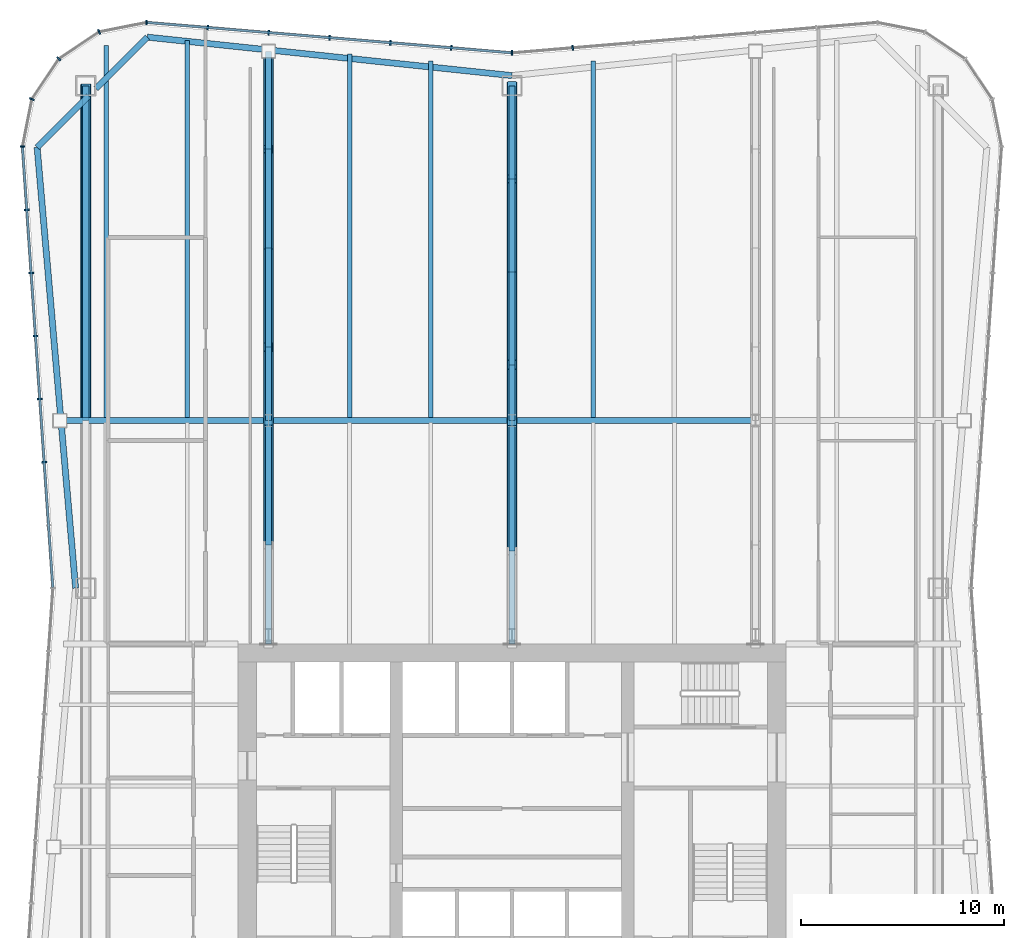
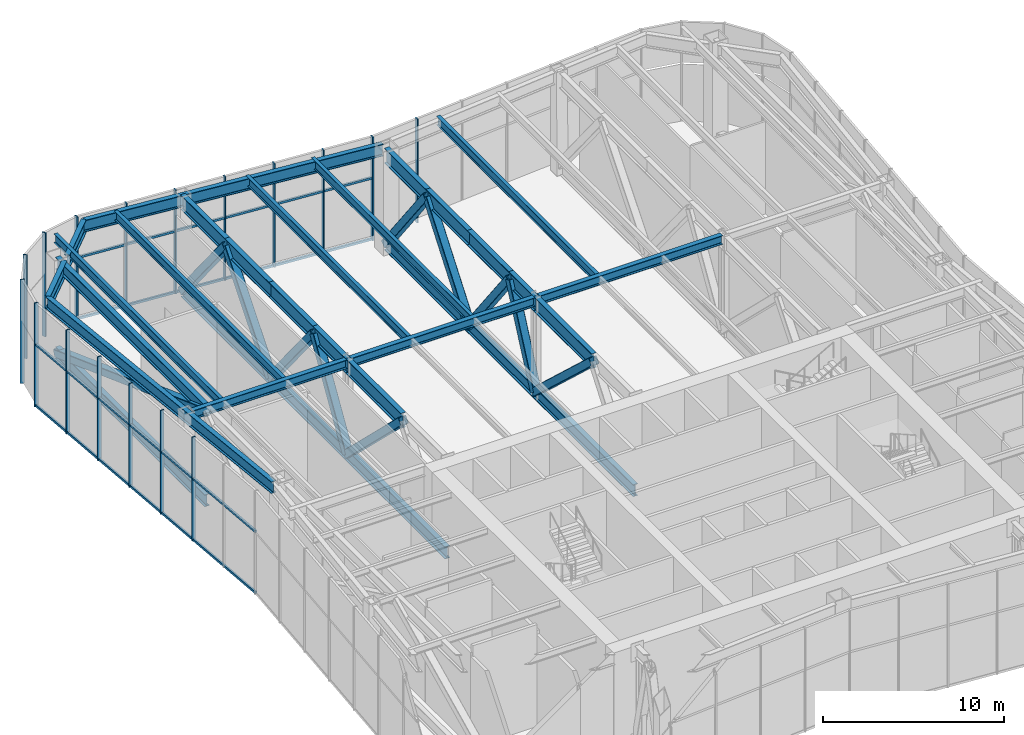
# One storey, part 5 of 14: 46 members, 12 beams, 3 elements without a shape of their own.
"""IFC4 building model written with IfcOpenShell, lengths in metres."""

from ifc_helpers import new_model, si_unit, direction, frame, origin, origin_2d, place, context, subcontext, project, spatial, rectangle, hollow_rectangle, i_section, extrude, material, material_profile, profile_set, type_object, element, aggregate, save


model = new_model("IFC4")

# Units and contexts
model_context = context("Model", 3, precision=1e-05, world=origin(), true_north=direction((0.0, 1.0)))
body_context = subcontext(model_context, "Body", "Model", "MODEL_VIEW")
ifc_project = project(units=[si_unit("LENGTHUNIT", "METRE"), si_unit("AREAUNIT", "SQUARE_METRE"), si_unit("VOLUMEUNIT", "CUBIC_METRE"), si_unit("PLANEANGLEUNIT", "RADIAN"), si_unit("MASSUNIT", "GRAM", prefix="KILO")], contexts=[model_context])

# Site, building, storey
site_placement = place(None, origin())
site = spatial("IfcSite", under=ifc_project, at=site_placement, CompositionType="ELEMENT")
building_placement = place(site_placement, origin())
building = spatial("IfcBuilding", under=site, at=building_placement, Name="Verdant Reach Tower", CompositionType="ELEMENT")
storey_placement = place(building_placement, frame((0.0, 0.0, 226.0)))
storey = spatial("IfcBuildingStorey", under=building, at=storey_placement, Name="L52 Plant", CompositionType="ELEMENT", Elevation=226.0)

# Curtain wall, members
ifc_material_1 = material(Name="Anodised aluminium", Category="aluminium")
curtain_wall_type = type_object("IfcCurtainWallType", Name="EN-CW SYSTEM PLANT", PredefinedType="NOTDEFINED", material=ifc_material_1)
curtain_wall_1_placement = place(storey_placement, origin())
curtain_wall_1 = element("IfcCurtainWall", 1, at=curtain_wall_1_placement, inside=storey, type_object=curtain_wall_type, Name="Curtain wall north, L52", PredefinedType="NOTDEFINED")
ifc_material_profile_1 = material_profile(ifc_material_1, rectangle(XDim=0.238037109375, YDim=0.080078125, at=origin_2d()), Name="Mullion 80x240")
ifc_profile_set_1 = profile_set([ifc_material_profile_1], Name="Anodised aluminium")
member_type_1 = type_object("IfcMemberType", Name="EN-MULLION PLANT", PredefinedType="MULLION", material=ifc_profile_set_1)
member_1_placement = place(storey_placement, frame((2.990234375, 67.86865234375, -0.35009765625), z_axis=(0.0, 0.0, 1.0), x_axis=(-0.083045479859, 0.996545758244, 0.0)))
member_1 = element("IfcMember", 2, at=member_1_placement, type_object=member_type_1, Name="Mullion north face part 1 6, L52", PredefinedType="MULLION", context=body_context, shape_type="SweptSolid", body=[
    extrude(rectangle(XDim=0.238037109375, YDim=0.080078125, at=origin_2d()), origin(), (0.0, 0.0, 1.0), 7.0),
])
member_2_placement = place(storey_placement, frame((0.0, 67.618896484375, -0.35009765625), z_axis=(0.0, 0.0, 1.0), x_axis=(0.0, 1.0, 0.0)))
member_2 = element("IfcMember", 3, at=member_2_placement, type_object=member_type_1, Name="Mullion north face part 2 1, L52", PredefinedType="MULLION", context=body_context, shape_type="SweptSolid", body=[
    extrude(rectangle(XDim=0.238037109375, YDim=0.080078125, at=origin_2d()), origin(), (0.0, 0.0, 1.0), 7.0),
])
member_3_placement = place(storey_placement, frame((-2.990234375, 67.86865234375, -0.35009765625), z_axis=(0.0, 0.0, 1.0), x_axis=(0.083045479859, 0.996545758244, 0.0)))
member_3 = element("IfcMember", 4, at=member_3_placement, type_object=member_type_1, Name="Mullion north face part 2 2, L52", PredefinedType="MULLION", context=body_context, shape_type="SweptSolid", body=[
    extrude(rectangle(XDim=0.238037109375, YDim=0.080078125, at=origin_2d()), origin(), (0.0, 0.0, 1.0), 7.0),
])
member_4_placement = place(storey_placement, frame((-5.990234375, 68.11865234375, -0.35009765625), z_axis=(0.0, 0.0, 1.0), x_axis=(0.083045479859, 0.996545758244, 0.0)))
member_4 = element("IfcMember", 5, at=member_4_placement, type_object=member_type_1, Name="Mullion north face part 2 3, L52", PredefinedType="MULLION", context=body_context, shape_type="SweptSolid", body=[
    extrude(rectangle(XDim=0.238037109375, YDim=0.080078125, at=origin_2d()), origin(), (0.0, 0.0, 1.0), 7.0),
])
member_5_placement = place(storey_placement, frame((-8.990234375, 68.36865234375, -0.35009765625), z_axis=(0.0, 0.0, 1.0), x_axis=(0.083045479859, 0.996545758244, 0.0)))
member_5 = element("IfcMember", 6, at=member_5_placement, type_object=member_type_1, Name="Mullion north face part 2 4, L52", PredefinedType="MULLION", context=body_context, shape_type="SweptSolid", body=[
    extrude(rectangle(XDim=0.238037109375, YDim=0.080078125, at=origin_2d()), origin(), (0.0, 0.0, 1.0), 7.0),
])
member_6_placement = place(storey_placement, frame((-11.990234375, 68.61865234375, -0.35009765625), z_axis=(0.0, 0.0, 1.0), x_axis=(0.083045479859, 0.996545758244, 0.0)))
member_6 = element("IfcMember", 7, at=member_6_placement, type_object=member_type_1, Name="Mullion north face part 2 5, L52", PredefinedType="MULLION", context=body_context, shape_type="SweptSolid", body=[
    extrude(rectangle(XDim=0.238037109375, YDim=0.080078125, at=origin_2d()), origin(), (0.0, 0.0, 1.0), 7.0),
])
member_7_placement = place(storey_placement, frame((-14.990234375, 68.86865234375, -0.35009765625), z_axis=(0.0, 0.0, 1.0), x_axis=(0.083045479859, 0.996545758244, 0.0)))
member_7 = element("IfcMember", 8, at=member_7_placement, type_object=member_type_1, Name="Mullion north face part 2 6, L52", PredefinedType="MULLION", context=body_context, shape_type="SweptSolid", body=[
    extrude(rectangle(XDim=0.238037109375, YDim=0.080078125, at=origin_2d()), origin(), (0.0, 0.0, 1.0), 7.0),
])

curtain_wall_2_placement = place(storey_placement, origin())
curtain_wall_2 = element("IfcCurtainWall", 9, at=curtain_wall_2_placement, inside=storey, type_object=curtain_wall_type, Name="Curtain wall north-west corner, L52", PredefinedType="NOTDEFINED")
member_8_placement = place(storey_placement, frame((-18.0068359375, 69.118896484375, -0.35009765625), z_axis=(0.0, 0.0, 1.0), x_axis=(-0.056569187765, 0.998398681387, 0.0)))
member_8 = element("IfcMember", 10, at=member_8_placement, type_object=member_type_1, Name="Mullion north-west corner 1, L52", PredefinedType="MULLION", context=body_context, shape_type="SweptSolid", body=[
    extrude(rectangle(XDim=0.238037109375, YDim=0.080078125, at=origin_2d()), origin(), (0.0, 0.0, 1.0), 7.0),
])
member_9_placement = place(storey_placement, frame((-20.341552734375, 68.6533203125, -0.35009765625), z_axis=(0.0, 0.0, 1.0), x_axis=(-0.382693853776, 0.923875215753, 0.0)))
member_9 = element("IfcMember", 11, at=member_9_placement, type_object=member_type_1, Name="Mullion north-west corner 2, L52", PredefinedType="MULLION", context=body_context, shape_type="SweptSolid", body=[
    extrude(rectangle(XDim=0.238037109375, YDim=0.080078125, at=origin_2d()), origin(), (0.0, 0.0, 1.0), 7.0),
])
member_10_placement = place(storey_placement, frame((-22.32666015625, 67.32666015625, -0.35009765625), z_axis=(0.0, 0.0, 1.0), x_axis=(-0.707106781187, 0.707106781187, 0.0)))
member_10 = element("IfcMember", 12, at=member_10_placement, type_object=member_type_1, Name="Mullion north-west corner 3, L52", PredefinedType="MULLION", context=body_context, shape_type="SweptSolid", body=[
    extrude(rectangle(XDim=0.238037109375, YDim=0.080078125, at=origin_2d()), origin(), (0.0, 0.0, 1.0), 7.0),
])
member_11_placement = place(storey_placement, frame((-23.6533203125, 65.341552734375, -0.35009765625), z_axis=(0.0, 0.0, 1.0), x_axis=(-0.923875215753, 0.382693853776, 0.0)))
member_11 = element("IfcMember", 13, at=member_11_placement, type_object=member_type_1, Name="Mullion north-west corner 4, L52", PredefinedType="MULLION", context=body_context, shape_type="SweptSolid", body=[
    extrude(rectangle(XDim=0.238037109375, YDim=0.080078125, at=origin_2d()), origin(), (0.0, 0.0, 1.0), 7.0),
])
aggregate(curtain_wall_2, [member_8, member_9, member_10, member_11])

curtain_wall_3_placement = place(storey_placement, origin())
curtain_wall_3 = element("IfcCurtainWall", 14, at=curtain_wall_3_placement, inside=storey, type_object=curtain_wall_type, Name="Curtain wall west, L52", PredefinedType="NOTDEFINED")
member_12_placement = place(storey_placement, frame((-24.11865234375, 63.007568359375, -0.35009765625), z_axis=(0.0, 0.0, 1.0), x_axis=(-0.997969180898, 0.063698618332, 0.0)))
member_12 = element("IfcMember", 15, at=member_12_placement, type_object=member_type_1, Name="Mullion west face part 1 1, L52", PredefinedType="MULLION", context=body_context, shape_type="SweptSolid", body=[
    extrude(rectangle(XDim=0.238037109375, YDim=0.080078125, at=origin_2d()), origin(), (0.0, 0.0, 1.0), 7.0),
])
member_13_placement = place(storey_placement, frame((-23.904541015625, 59.884765625, -0.35009765625), z_axis=(0.0, 0.0, 1.0), x_axis=(-0.997630328423, -0.068802091615, 0.0)))
member_13 = element("IfcMember", 16, at=member_13_placement, type_object=member_type_1, Name="Mullion west face part 1 2, L52", PredefinedType="MULLION", context=body_context, shape_type="SweptSolid", body=[
    extrude(rectangle(XDim=0.238037109375, YDim=0.080078125, at=origin_2d()), origin(), (0.0, 0.0, 1.0), 7.0),
])
member_14_placement = place(storey_placement, frame((-23.690185546875, 56.777587890625, -0.35009765625), z_axis=(0.0, 0.0, 1.0), x_axis=(-0.997630328423, -0.068802091615, 0.0)))
member_14 = element("IfcMember", 17, at=member_14_placement, type_object=member_type_1, Name="Mullion west face part 1 3, L52", PredefinedType="MULLION", context=body_context, shape_type="SweptSolid", body=[
    extrude(rectangle(XDim=0.238037109375, YDim=0.080078125, at=origin_2d()), origin(), (0.0, 0.0, 1.0), 7.0),
])
member_15_placement = place(storey_placement, frame((-23.475830078125, 53.67041015625, -0.35009765625), z_axis=(0.0, 0.0, 1.0), x_axis=(-0.997630328423, -0.068802091615, 0.0)))
member_15 = element("IfcMember", 18, at=member_15_placement, type_object=member_type_1, Name="Mullion west face part 1 4, L52", PredefinedType="MULLION", context=body_context, shape_type="SweptSolid", body=[
    extrude(rectangle(XDim=0.238037109375, YDim=0.080078125, at=origin_2d()), origin(), (0.0, 0.0, 1.0), 7.0),
])
member_16_placement = place(storey_placement, frame((-23.261474609375, 50.563232421875, -0.35009765625), z_axis=(0.0, 0.0, 1.0), x_axis=(-0.997630328423, -0.068802091615, 0.0)))
member_16 = element("IfcMember", 19, at=member_16_placement, type_object=member_type_1, Name="Mullion west face part 1 5, L52", PredefinedType="MULLION", context=body_context, shape_type="SweptSolid", body=[
    extrude(rectangle(XDim=0.238037109375, YDim=0.080078125, at=origin_2d()), origin(), (0.0, 0.0, 1.0), 7.0),
])
member_17_placement = place(storey_placement, frame((-23.04736328125, 47.4560546875, -0.35009765625), z_axis=(0.0, 0.0, 1.0), x_axis=(-0.997630328423, -0.068802091615, 0.0)))
member_17 = element("IfcMember", 20, at=member_17_placement, type_object=member_type_1, Name="Mullion west face part 1 6, L52", PredefinedType="MULLION", context=body_context, shape_type="SweptSolid", body=[
    extrude(rectangle(XDim=0.238037109375, YDim=0.080078125, at=origin_2d()), origin(), (0.0, 0.0, 1.0), 7.0),
])

# Member
ifc_material_profile_2 = material_profile(ifc_material_1, rectangle(XDim=0.1201171875, YDim=0.14990234375, at=origin_2d()), Name="Transom 150x120")
ifc_profile_set_2 = profile_set([ifc_material_profile_2], Name="Anodised aluminium")
member_type_2 = type_object("IfcMemberType", Name="EN-TRANSOM PLANT", PredefinedType="USERDEFINED", material=ifc_profile_set_2)
member_18_placement = place(storey_placement, frame((-0.039794921875, 67.622314453125, -0.27490234375), z_axis=(-0.996549220477, 0.083003922598, 0.0), x_axis=(-0.083003922598, -0.996549220477, 0.0)))
member_18 = element("IfcMember", 21, at=member_18_placement, type_object=member_type_2, Name="Transom north face part 2 1.1, L52", ObjectType="TRANSOM", PredefinedType="USERDEFINED", context=body_context, shape_type="SweptSolid", body=[
    extrude(rectangle(XDim=0.1201171875, YDim=0.14990234375, at=origin_2d()), origin(), (0.0, 0.0, 1.0), 17.989013671875),
])

member_19_placement = place(storey_placement, frame((-0.039794921875, 67.622314453125, 3.85009765625), z_axis=(-0.996549220477, 0.083003922598, 0.0), x_axis=(-0.083003922598, -0.996549220477, 0.0)))
member_19 = element("IfcMember", 22, at=member_19_placement, type_object=member_type_2, Name="Transom north face part 2 1.2, L52", ObjectType="TRANSOM", PredefinedType="USERDEFINED", context=body_context, shape_type="SweptSolid", body=[
    extrude(rectangle(XDim=0.1201171875, YDim=0.14990234375, at=origin_2d()), origin(), (0.0, 0.0, 1.0), 17.989013671875),
])

aggregate(curtain_wall_1, [member_1, member_2, member_3, member_4, member_5, member_6, member_7, member_18, member_19])

member_20_placement = place(storey_placement, frame((-24.115966796875, 62.9677734375, -0.27490234375), z_axis=(0.068761218296, -0.997633146431, 0.0), x_axis=(0.997633146431, 0.068761218296, 0.0)))
member_20 = element("IfcMember", 23, at=member_20_placement, type_object=member_type_2, Name="Transom west face part 1 1.1, L52", ObjectType="TRANSOM", PredefinedType="USERDEFINED", context=body_context, shape_type="SweptSolid", body=[
    extrude(rectangle(XDim=0.1201171875, YDim=0.14990234375, at=origin_2d()), origin(), (0.0, 0.0, 1.0), 21.7294921875),
])

member_21_placement = place(storey_placement, frame((-24.115966796875, 62.9677734375, 3.85009765625), z_axis=(0.068761218296, -0.997633146431, 0.0), x_axis=(0.997633146431, 0.068761218296, 0.0)))
member_21 = element("IfcMember", 24, at=member_21_placement, type_object=member_type_2, Name="Transom west face part 1 1.2, L52", ObjectType="TRANSOM", PredefinedType="USERDEFINED", context=body_context, shape_type="SweptSolid", body=[
    extrude(rectangle(XDim=0.1201171875, YDim=0.14990234375, at=origin_2d()), origin(), (0.0, 0.0, 1.0), 21.7294921875),
])

aggregate(curtain_wall_3, [member_12, member_13, member_14, member_15, member_16, member_17, member_20, member_21])

# Beams
ifc_material_2 = material(Name="Steel S355", Category="steel")
ifc_material_profile_3 = material_profile(ifc_material_2, i_section(OverallWidth=0.300048828125, OverallDepth=0.60009765625, WebThickness=0.015380859375, FlangeThickness=0.030029296875, FilletRadius=0.027099609375, at=origin_2d()), Name="HEB 600")
ifc_profile_set_3 = profile_set([ifc_material_profile_3], Name="Steel S355")
beam_type_1 = type_object("IfcBeamType", Name="ST-BEAM-HEB600", PredefinedType="BEAM", material=ifc_profile_set_3)
beam_1_placement = place(storey_placement, frame((-21.965087890625, 49.5, 6.570068359375), z_axis=(1.0, 0.0, 0.0), x_axis=(0.0, 1.0, 0.0)))
element("IfcBeam", 25, at=beam_1_placement, inside=storey, type_object=beam_type_1, Name="Row girder, L52 Plant", PredefinedType="BEAM", context=body_context, shape_type="SweptSolid", body=[
    extrude(i_section(OverallWidth=0.300048828125, OverallDepth=0.60009765625, WebThickness=0.015380859375, FlangeThickness=0.030029296875, FilletRadius=0.027099609375, at=origin_2d()), origin(), (0.0, 0.0, 1.0), 9.8125),
])
for number, where, z_axis, x_axis, name in (
    (26, (-11.847412109375, 49.5, 6.570068359375), (1.0, 0.0, 0.0), (0.0, 1.0, 0.0), "Row girder, L52 Plant"),
    (27, (0.152587890625, 49.5, 6.570068359375), (1.0, 0.0, 0.0), (0.0, 1.0, 0.0), "Row girder, L52 Plant"),
):
    element("IfcBeam", number, at=place(storey_placement, frame(where, z_axis=z_axis, x_axis=x_axis)), inside=storey, type_object=beam_type_1, Name=name, PredefinedType="BEAM", context=body_context, shape_type="SweptSolid", body=[
        extrude(i_section(OverallWidth=0.300048828125, OverallDepth=0.60009765625, WebThickness=0.015380859375, FlangeThickness=0.030029296875, FilletRadius=0.027099609375, at=origin_2d()), origin(), (0.0, 0.0, 1.0), 11.69482421875),
    ])
ifc_material_profile_4 = material_profile(ifc_material_2, i_section(OverallWidth=0.219970703125, OverallDepth=0.60009765625, WebThickness=0.011962890625, FlangeThickness=0.01904296875, FilletRadius=0.02392578125, at=origin_2d()), Name="IPE 600")
ifc_profile_set_4 = profile_set([ifc_material_profile_4], Name="Steel S355")
beam_type_2 = type_object("IfcBeamType", Name="ST-JOIST-IPE600", PredefinedType="JOIST", material=ifc_profile_set_4)
beam_2_placement = place(storey_placement, frame((-20.0, 49.60009765625, 6.570068359375), z_axis=(0.0, 1.0, 0.0), x_axis=(-1.0, 0.0, 0.0)))
element("IfcBeam", 28, at=beam_2_placement, inside=storey, type_object=beam_type_2, Name="Floor joist, L52 Plant", PredefinedType="JOIST", context=body_context, shape_type="SweptSolid", body=[
    extrude(i_section(OverallWidth=0.219970703125, OverallDepth=0.60009765625, WebThickness=0.011962890625, FlangeThickness=0.01904296875, FilletRadius=0.02392578125, at=origin_2d()), origin(), (0.0, 0.0, 1.0), 18.390380859375),
])
beam_3_placement = place(storey_placement, frame((-16.0, 49.60009765625, 6.570068359375), z_axis=(0.0, 1.0, 0.0), x_axis=(-1.0, 0.0, 0.0)))
element("IfcBeam", 29, at=beam_3_placement, inside=storey, type_object=beam_type_2, Name="Floor joist, L52 Plant", PredefinedType="JOIST", context=body_context, shape_type="SweptSolid", body=[
    extrude(i_section(OverallWidth=0.219970703125, OverallDepth=0.60009765625, WebThickness=0.011962890625, FlangeThickness=0.01904296875, FilletRadius=0.02392578125, at=origin_2d()), origin(), (0.0, 0.0, 1.0), 18.631103515625),
])
beam_4_placement = place(storey_placement, frame((-8.0, 49.60009765625, 6.570068359375), z_axis=(0.0, 1.0, 0.0), x_axis=(-1.0, 0.0, 0.0)))
element("IfcBeam", 30, at=beam_4_placement, inside=storey, type_object=beam_type_2, Name="Floor joist, L52 Plant", PredefinedType="JOIST", context=body_context, shape_type="SweptSolid", body=[
    extrude(i_section(OverallWidth=0.219970703125, OverallDepth=0.60009765625, WebThickness=0.011962890625, FlangeThickness=0.01904296875, FilletRadius=0.02392578125, at=origin_2d()), origin(), (0.0, 0.0, 1.0), 17.964599609375),
])
for number, where, z_axis, x_axis, name in (
    (31, (-4.0, 49.60009765625, 6.570068359375), (0.0, 1.0, 0.0), (-1.0, 0.0, 0.0), "Floor joist, L52 Plant"),
    (32, (4.0, 49.60009765625, 6.570068359375), (0.0, 1.0, 0.0), (-1.0, 0.0, 0.0), "Floor joist, L52 Plant"),
):
    element("IfcBeam", number, at=place(storey_placement, frame(where, z_axis=z_axis, x_axis=x_axis)), inside=storey, type_object=beam_type_2, Name=name, PredefinedType="JOIST", context=body_context, shape_type="SweptSolid", body=[
        extrude(i_section(OverallWidth=0.219970703125, OverallDepth=0.60009765625, WebThickness=0.011962890625, FlangeThickness=0.01904296875, FilletRadius=0.02392578125, at=origin_2d()), origin(), (0.0, 0.0, 1.0), 17.631103515625),
    ])
ifc_material_profile_5 = material_profile(ifc_material_2, i_section(OverallWidth=0.300048828125, OverallDepth=0.800048828125, WebThickness=0.017578125, FlangeThickness=0.032958984375, FilletRadius=0.030029296875, at=origin_2d()), Name="HEB 800")
ifc_profile_set_5 = profile_set([ifc_material_profile_5], Name="Steel S355")
beam_type_3 = type_object("IfcBeamType", Name="ST-SPANDREL-HEB800", PredefinedType="SPANDREL", material=ifc_profile_set_5)
beam_5_placement = place(storey_placement, frame((-21.5, 41.25, 6.469970703125), z_axis=(-0.086996024331, 0.996208658741, 0.0), x_axis=(-0.996208658741, -0.086996024331, 0.0)))
element("IfcBeam", 33, at=beam_5_placement, inside=storey, type_object=beam_type_3, Name="Edge beam, L52 Plant", PredefinedType="SPANDREL", context=body_context, shape_type="SweptSolid", body=[
    extrude(i_section(OverallWidth=0.300048828125, OverallDepth=0.800048828125, WebThickness=0.017578125, FlangeThickness=0.032958984375, FilletRadius=0.030029296875, at=origin_2d()), origin(), (0.0, 0.0, 1.0), 21.7939453125),
])
beam_6_placement = place(storey_placement, frame((-17.9658203125, 68.39501953125, 6.469970703125), z_axis=(0.994483067002, -0.104897232783, 0.0), x_axis=(0.104897232783, 0.994483067002, 0.0)))
element("IfcBeam", 34, at=beam_6_placement, inside=storey, type_object=beam_type_3, Name="Edge beam, L52 Plant", PredefinedType="SPANDREL", context=body_context, shape_type="SweptSolid", body=[
    extrude(i_section(OverallWidth=0.300048828125, OverallDepth=0.800048828125, WebThickness=0.017578125, FlangeThickness=0.032958984375, FilletRadius=0.030029296875, at=origin_2d()), origin(), (0.0, 0.0, 1.0), 18.0654296875),
])
ifc_material_profile_6 = material_profile(ifc_material_2, i_section(OverallWidth=0.302001953125, OverallDepth=0.909912109375, WebThickness=0.02099609375, FlangeThickness=0.0400390625, FilletRadius=0.030029296875, at=origin_2d()), Name="HEM 900")
ifc_profile_set_6 = profile_set([ifc_material_profile_6], Name="Steel S355")
beam_type_4 = type_object("IfcBeamType", Name="ST-SPANDREL-HEM900", PredefinedType="SPANDREL", material=ifc_profile_set_6)
beam_7_placement = place(storey_placement, frame((-23.39599609375, 62.96142578125, 6.4150390625), z_axis=(0.706902680526, 0.707310822952, 0.0), x_axis=(-0.707310822952, 0.706902680526, 0.0)))
element("IfcBeam", 35, at=beam_7_placement, inside=storey, type_object=beam_type_4, Name="Edge beam, L52 Plant", PredefinedType="SPANDREL", context=body_context, shape_type="SweptSolid", body=[
    extrude(i_section(OverallWidth=0.302001953125, OverallDepth=0.909912109375, WebThickness=0.02099609375, FlangeThickness=0.0400390625, FilletRadius=0.030029296875, at=origin_2d()), origin(), (0.0, 0.0, 1.0), 3.589111328125),
])
beam_8_placement = place(storey_placement, frame((-20.5, 65.859130859375, 6.4150390625), z_axis=(0.706868394255, 0.707345087777, 0.0), x_axis=(-0.707345087777, 0.706868394255, 0.0)))
element("IfcBeam", 36, at=beam_8_placement, inside=storey, type_object=beam_type_4, Name="Edge beam, L52 Plant", PredefinedType="SPANDREL", context=body_context, shape_type="SweptSolid", body=[
    extrude(i_section(OverallWidth=0.302001953125, OverallDepth=0.909912109375, WebThickness=0.02099609375, FlangeThickness=0.0400390625, FilletRadius=0.030029296875, at=origin_2d()), origin(), (0.0, 0.0, 1.0), 3.5849609375),
])

# Members
ifc_material_3 = material(Name="Steel S460", Category="steel")
ifc_material_profile_7 = material_profile(ifc_material_3, hollow_rectangle(XDim=0.5, YDim=0.5, WallThickness=0.02490234375, InnerFilletRadius=0.02490234375, OuterFilletRadius=0.050048828125, at=origin_2d()), Name="RHS 500x500x25")
ifc_profile_set_7 = profile_set([ifc_material_profile_7], Name="Steel S460")
member_type_3 = type_object("IfcMemberType", Name="ST-TRUSS-BRACE-RHS500x500x25", PredefinedType="BRACE", material=ifc_profile_set_7)
member_22_placement = place(storey_placement, frame((-12.0, 43.374755859375, 6.365966796875), z_axis=(0.0, 0.716767609279, -0.69731212114), x_axis=(-1.0, 0.0, 0.0)))
element("IfcMember", 37, at=member_22_placement, inside=storey, type_object=member_type_3, Name="Belt truss C north, diagonal, L52 Plant", PredefinedType="BRACE", context=body_context, shape_type="SweptSolid", body=[
    extrude(hollow_rectangle(XDim=0.5, YDim=0.5, WallThickness=0.02490234375, InnerFilletRadius=0.02490234375, OuterFilletRadius=0.050048828125, at=origin_2d()), origin(), (0.0, 0.0, 1.0), 8.545654296875),
])
member_23_placement = place(storey_placement, frame((-12.0, 49.5, 0.406982421875), z_axis=(0.0, 0.519664861187, 0.854370196137), x_axis=(-1.0, 0.0, 0.0)))
element("IfcMember", 38, at=member_23_placement, inside=storey, type_object=member_type_3, Name="Belt truss C north, diagonal, L52 Plant", PredefinedType="BRACE", context=body_context, shape_type="SweptSolid", body=[
    extrude(hollow_rectangle(XDim=0.5, YDim=0.5, WallThickness=0.02490234375, InnerFilletRadius=0.02490234375, OuterFilletRadius=0.050048828125, at=origin_2d()), origin(), (0.0, 0.0, 1.0), 6.974609375),
])
member_24_placement = place(storey_placement, frame((-12.0, 53.12451171875, 6.365966796875), z_axis=(0.0, 0.630640504827, -0.776075095382), x_axis=(-1.0, 0.0, 0.0)))
element("IfcMember", 39, at=member_24_placement, inside=storey, type_object=member_type_3, Name="Belt truss C north, diagonal, L52 Plant", PredefinedType="BRACE", context=body_context, shape_type="SweptSolid", body=[
    extrude(hollow_rectangle(XDim=0.5, YDim=0.5, WallThickness=0.02490234375, InnerFilletRadius=0.02490234375, OuterFilletRadius=0.050048828125, at=origin_2d()), origin(), (0.0, 0.0, 1.0), 7.678466796875),
])
member_25_placement = place(storey_placement, frame((-12.0, 57.966796875, 0.406982421875), z_axis=(0.0, 0.635693950047, 0.771941190684), x_axis=(-1.0, 0.0, 0.0)))
element("IfcMember", 40, at=member_25_placement, inside=storey, type_object=member_type_3, Name="Belt truss C north, diagonal, L52 Plant", PredefinedType="BRACE", context=body_context, shape_type="SweptSolid", body=[
    extrude(hollow_rectangle(XDim=0.5, YDim=0.5, WallThickness=0.02490234375, InnerFilletRadius=0.02490234375, OuterFilletRadius=0.050048828125, at=origin_2d()), origin(), (0.0, 0.0, 1.0), 7.719482421875),
])
member_26_placement = place(storey_placement, frame((-12.0, 62.8740234375, 6.365966796875), z_axis=(0.0, 0.629374063131, -0.777102495594), x_axis=(-1.0, 0.0, 0.0)))
element("IfcMember", 41, at=member_26_placement, inside=storey, type_object=member_type_3, Name="Belt truss C north, diagonal, L52 Plant", PredefinedType="BRACE", context=body_context, shape_type="SweptSolid", body=[
    extrude(hollow_rectangle(XDim=0.5, YDim=0.5, WallThickness=0.02490234375, InnerFilletRadius=0.02490234375, OuterFilletRadius=0.050048828125, at=origin_2d()), origin(), (0.0, 0.0, 1.0), 7.668212890625),
])
member_27_placement = place(storey_placement, frame((0.0, 43.083251953125, 6.365966796875), z_axis=(0.0, 0.732760722645, -0.680486387335), x_axis=(-1.0, 0.0, 0.0)))
element("IfcMember", 42, at=member_27_placement, inside=storey, type_object=member_type_3, Name="Belt truss D north, diagonal, L52 Plant", PredefinedType="BRACE", context=body_context, shape_type="SweptSolid", body=[
    extrude(hollow_rectangle(XDim=0.5, YDim=0.5, WallThickness=0.02490234375, InnerFilletRadius=0.02490234375, OuterFilletRadius=0.050048828125, at=origin_2d()), origin(), (0.0, 0.0, 1.0), 8.7568359375),
])
member_28_placement = place(storey_placement, frame((0.0, 49.5, 0.406982421875), z_axis=(0.0, 0.419020432742, 0.907976804188), x_axis=(-1.0, 0.0, 0.0)))
element("IfcMember", 43, at=member_28_placement, inside=storey, type_object=member_type_3, Name="Belt truss D north, diagonal, L52 Plant", PredefinedType="BRACE", context=body_context, shape_type="SweptSolid", body=[
    extrude(hollow_rectangle(XDim=0.5, YDim=0.5, WallThickness=0.02490234375, InnerFilletRadius=0.02490234375, OuterFilletRadius=0.050048828125, at=origin_2d()), origin(), (0.0, 0.0, 1.0), 6.56298828125),
])
member_29_placement = place(storey_placement, frame((0.0, 52.25, 6.365966796875), z_axis=(0.0, 0.609662106851, -0.792661412881), x_axis=(-1.0, 0.0, 0.0)))
element("IfcMember", 44, at=member_29_placement, inside=storey, type_object=member_type_3, Name="Belt truss D north, diagonal, L52 Plant", PredefinedType="BRACE", context=body_context, shape_type="SweptSolid", body=[
    extrude(hollow_rectangle(XDim=0.5, YDim=0.5, WallThickness=0.02490234375, InnerFilletRadius=0.02490234375, OuterFilletRadius=0.050048828125, at=origin_2d()), origin(), (0.0, 0.0, 1.0), 7.517578125),
])
member_30_placement = place(storey_placement, frame((0.0, 56.833251953125, 0.406982421875), z_axis=(0.0, 0.60968251098, 0.792645718973), x_axis=(-1.0, 0.0, 0.0)))
element("IfcMember", 45, at=member_30_placement, inside=storey, type_object=member_type_3, Name="Belt truss D north, diagonal, L52 Plant", PredefinedType="BRACE", context=body_context, shape_type="SweptSolid", body=[
    extrude(hollow_rectangle(XDim=0.5, YDim=0.5, WallThickness=0.02490234375, InnerFilletRadius=0.02490234375, OuterFilletRadius=0.050048828125, at=origin_2d()), origin(), (0.0, 0.0, 1.0), 7.517822265625),
])
member_31_placement = place(storey_placement, frame((0.0, 61.416748046875, 6.365966796875), z_axis=(0.0, 0.609662106851, -0.792661412881), x_axis=(-1.0, 0.0, 0.0)))
element("IfcMember", 46, at=member_31_placement, inside=storey, type_object=member_type_3, Name="Belt truss D north, diagonal, L52 Plant", PredefinedType="BRACE", context=body_context, shape_type="SweptSolid", body=[
    extrude(hollow_rectangle(XDim=0.5, YDim=0.5, WallThickness=0.02490234375, InnerFilletRadius=0.02490234375, OuterFilletRadius=0.050048828125, at=origin_2d()), origin(), (0.0, 0.0, 1.0), 7.517578125),
])
member_32_placement = place(storey_placement, frame((-21.0, 49.5, 6.462890625), z_axis=(0.0, 0.93876762212, -0.344550942038), x_axis=(-1.0, 0.0, 0.0)))
element("IfcMember", 47, at=member_32_placement, inside=storey, type_object=member_type_3, Name="Belt truss B west, diagonal, L52 Plant", PredefinedType="BRACE", context=body_context, shape_type="SweptSolid", body=[
    extrude(hollow_rectangle(XDim=0.5, YDim=0.5, WallThickness=0.02490234375, InnerFilletRadius=0.02490234375, OuterFilletRadius=0.050048828125, at=origin_2d()), origin(), (0.0, 0.0, 1.0), 17.576171875),
])
ifc_material_profile_8 = material_profile(ifc_material_3, i_section(OverallWidth=0.302001953125, OverallDepth=1.008056640625, WebThickness=0.02099609375, FlangeThickness=0.0400390625, FilletRadius=0.030029296875, at=origin_2d()), Name="HEM 1000")
ifc_profile_set_8 = profile_set([ifc_material_profile_8], Name="Steel S460")
member_type_4 = type_object("IfcMemberType", Name="ST-TRUSS-CHORD-HEM1000", PredefinedType="CHORD", material=ifc_profile_set_8)
member_33_placement = place(storey_placement, frame((-12.0, 43.374755859375, 6.365966796875), z_axis=(0.0, 1.0, 0.0), x_axis=(-1.0, 0.0, 0.0)))
element("IfcMember", 48, at=member_33_placement, inside=storey, type_object=member_type_4, Name="Belt truss C north, top chord, L52 Plant", PredefinedType="CHORD", context=body_context, shape_type="SweptSolid", body=[
    extrude(i_section(OverallWidth=0.302001953125, OverallDepth=1.008056640625, WebThickness=0.02099609375, FlangeThickness=0.0400390625, FilletRadius=0.030029296875, at=origin_2d()), origin(), (0.0, 0.0, 1.0), 6.125244140625),
])
member_34_placement = place(storey_placement, frame((-12.0, 49.5, 6.365966796875), z_axis=(0.0, 1.0, 0.0), x_axis=(-1.0, 0.0, 0.0)))
element("IfcMember", 49, at=member_34_placement, inside=storey, type_object=member_type_4, Name="Belt truss C north, top chord, L52 Plant", PredefinedType="CHORD", context=body_context, shape_type="SweptSolid", body=[
    extrude(i_section(OverallWidth=0.302001953125, OverallDepth=1.008056640625, WebThickness=0.02099609375, FlangeThickness=0.0400390625, FilletRadius=0.030029296875, at=origin_2d()), origin(), (0.0, 0.0, 1.0), 3.62451171875),
])
for number, where, z_axis, x_axis, name in (
    (50, (-12.0, 53.12451171875, 6.365966796875), (0.0, 1.0, 0.0), (-1.0, 0.0, 0.0), "Belt truss C north, top chord, L52 Plant"),
    (51, (-12.0, 57.999267578125, 6.365966796875), (0.0, 1.0, 0.0), (-1.0, 0.0, 0.0), "Belt truss C north, top chord, L52 Plant"),
    (52, (-12.0, 62.8740234375, 6.365966796875), (0.0, 1.0, 0.0), (-1.0, 0.0, 0.0), "Belt truss C north, top chord, L52 Plant"),
):
    element("IfcMember", number, at=place(storey_placement, frame(where, z_axis=z_axis, x_axis=x_axis)), inside=storey, type_object=member_type_4, Name=name, PredefinedType="CHORD", context=body_context, shape_type="SweptSolid", body=[
        extrude(i_section(OverallWidth=0.302001953125, OverallDepth=1.008056640625, WebThickness=0.02099609375, FlangeThickness=0.0400390625, FilletRadius=0.030029296875, at=origin_2d()), origin(), (0.0, 0.0, 1.0), 4.874755859375),
    ])
member_35_placement = place(storey_placement, frame((0.0, 43.083251953125, 6.365966796875), z_axis=(0.0, 1.0, 0.0), x_axis=(-1.0, 0.0, 0.0)))
element("IfcMember", 53, at=member_35_placement, inside=storey, type_object=member_type_4, Name="Belt truss D north, top chord, L52 Plant", PredefinedType="CHORD", context=body_context, shape_type="SweptSolid", body=[
    extrude(i_section(OverallWidth=0.302001953125, OverallDepth=1.008056640625, WebThickness=0.02099609375, FlangeThickness=0.0400390625, FilletRadius=0.030029296875, at=origin_2d()), origin(), (0.0, 0.0, 1.0), 6.416748046875),
])
member_36_placement = place(storey_placement, frame((0.0, 49.5, 6.365966796875), z_axis=(0.0, 1.0, 0.0), x_axis=(-1.0, 0.0, 0.0)))
element("IfcMember", 54, at=member_36_placement, inside=storey, type_object=member_type_4, Name="Belt truss D north, top chord, L52 Plant", PredefinedType="CHORD", context=body_context, shape_type="SweptSolid", body=[
    extrude(i_section(OverallWidth=0.302001953125, OverallDepth=1.008056640625, WebThickness=0.02099609375, FlangeThickness=0.0400390625, FilletRadius=0.030029296875, at=origin_2d()), origin(), (0.0, 0.0, 1.0), 2.75),
])
member_37_placement = place(storey_placement, frame((0.0, 52.25, 6.365966796875), z_axis=(0.0, 1.0, 0.0), x_axis=(-1.0, 0.0, 0.0)))
element("IfcMember", 55, at=member_37_placement, inside=storey, type_object=member_type_4, Name="Belt truss D north, top chord, L52 Plant", PredefinedType="CHORD", context=body_context, shape_type="SweptSolid", body=[
    extrude(i_section(OverallWidth=0.302001953125, OverallDepth=1.008056640625, WebThickness=0.02099609375, FlangeThickness=0.0400390625, FilletRadius=0.030029296875, at=origin_2d()), origin(), (0.0, 0.0, 1.0), 4.583251953125),
])
member_38_placement = place(storey_placement, frame((0.0, 56.833251953125, 6.365966796875), z_axis=(0.0, 1.0, 0.0), x_axis=(-1.0, 0.0, 0.0)))
element("IfcMember", 56, at=member_38_placement, inside=storey, type_object=member_type_4, Name="Belt truss D north, top chord, L52 Plant", PredefinedType="CHORD", context=body_context, shape_type="SweptSolid", body=[
    extrude(i_section(OverallWidth=0.302001953125, OverallDepth=1.008056640625, WebThickness=0.02099609375, FlangeThickness=0.0400390625, FilletRadius=0.030029296875, at=origin_2d()), origin(), (0.0, 0.0, 1.0), 4.58349609375),
])
member_39_placement = place(storey_placement, frame((0.0, 61.416748046875, 6.365966796875), z_axis=(0.0, 1.0, 0.0), x_axis=(-1.0, 0.0, 0.0)))
element("IfcMember", 57, at=member_39_placement, inside=storey, type_object=member_type_4, Name="Belt truss D north, top chord, L52 Plant", PredefinedType="CHORD", context=body_context, shape_type="SweptSolid", body=[
    extrude(i_section(OverallWidth=0.302001953125, OverallDepth=1.008056640625, WebThickness=0.02099609375, FlangeThickness=0.0400390625, FilletRadius=0.030029296875, at=origin_2d()), origin(), (0.0, 0.0, 1.0), 4.583251953125),
])
ifc_material_profile_9 = material_profile(ifc_material_3, i_section(OverallWidth=0.302978515625, OverallDepth=0.81396484375, WebThickness=0.02099609375, FlangeThickness=0.0400390625, FilletRadius=0.030029296875, at=origin_2d()), Name="HEM 800")
ifc_profile_set_9 = profile_set([ifc_material_profile_9], Name="Steel S460")
member_type_5 = type_object("IfcMemberType", Name="ST-TRUSS-CHORD-HEM800", PredefinedType="CHORD", material=ifc_profile_set_9)
member_40_placement = place(storey_placement, frame((-12.0, 38.5, 0.406982421875), z_axis=(0.0, 1.0, 0.0), x_axis=(-1.0, 0.0, 0.0)))
element("IfcMember", 58, at=member_40_placement, inside=storey, type_object=member_type_5, Name="Belt truss C north, bottom chord, L52 Plant", PredefinedType="CHORD", context=body_context, shape_type="SweptSolid", body=[
    extrude(i_section(OverallWidth=0.302978515625, OverallDepth=0.81396484375, WebThickness=0.02099609375, FlangeThickness=0.0400390625, FilletRadius=0.030029296875, at=origin_2d()), origin(), (0.0, 0.0, 1.0), 29.2001953125),
])
member_41_placement = place(storey_placement, frame((0.0, 38.5, 0.406982421875), z_axis=(0.0, 1.0, 0.0), x_axis=(-1.0, 0.0, 0.0)))
element("IfcMember", 59, at=member_41_placement, inside=storey, type_object=member_type_5, Name="Belt truss D north, bottom chord, L52 Plant", PredefinedType="CHORD", context=body_context, shape_type="SweptSolid", body=[
    extrude(i_section(OverallWidth=0.302978515625, OverallDepth=0.81396484375, WebThickness=0.02099609375, FlangeThickness=0.0400390625, FilletRadius=0.030029296875, at=origin_2d()), origin(), (0.0, 0.0, 1.0), 27.5),
])
for number, where, z_axis, x_axis, name in (
    (60, (-21.0, 49.5, 6.462890625), (0.0, 1.0, 0.0), (-1.0, 0.0, 0.0), "Belt truss B west, top chord, L52 Plant"),
    (61, (-21.0, 49.5, 0.406982421875), (0.0, 1.0, 0.0), (-1.0, 0.0, 0.0), "Belt truss B west, bottom chord, L52 Plant"),
):
    element("IfcMember", number, at=place(storey_placement, frame(where, z_axis=z_axis, x_axis=x_axis)), inside=storey, type_object=member_type_5, Name=name, PredefinedType="CHORD", context=body_context, shape_type="SweptSolid", body=[
        extrude(i_section(OverallWidth=0.302978515625, OverallDepth=0.81396484375, WebThickness=0.02099609375, FlangeThickness=0.0400390625, FilletRadius=0.030029296875, at=origin_2d()), origin(), (0.0, 0.0, 1.0), 16.5),
    ])

save(model, "model.ifc")
